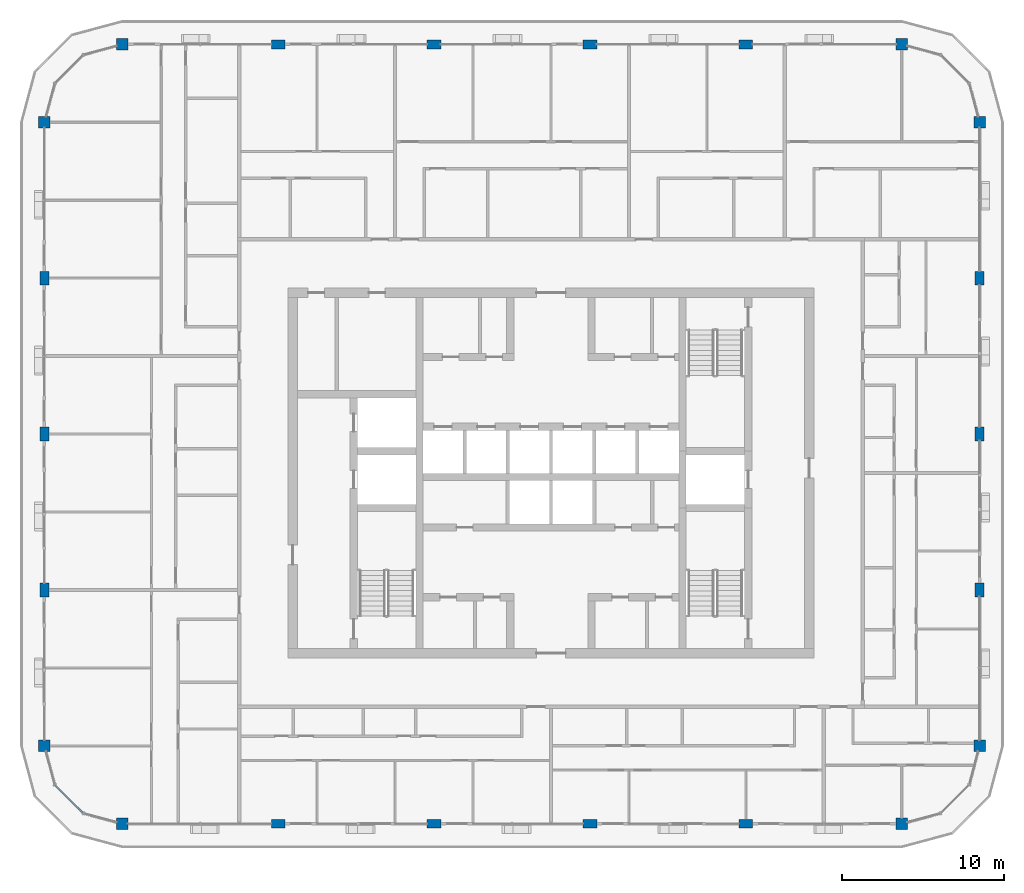
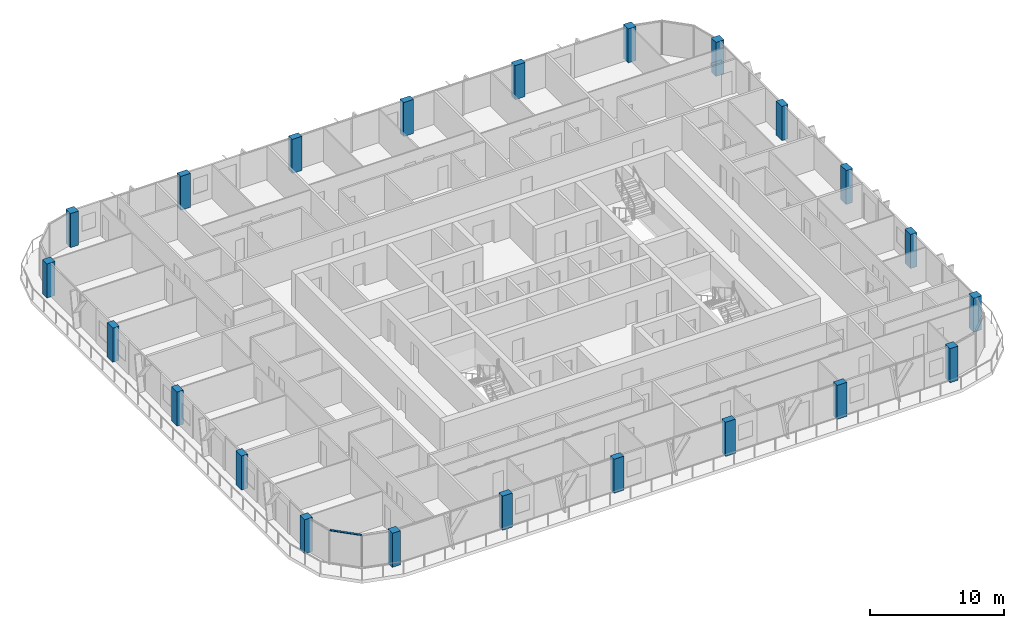
# One storey, part 1 of 22: 22 columns, 1 member, 1 element without a shape of its own.
"""IFC4 building model written with IfcOpenShell, lengths in metres."""

from ifc_helpers import new_model, si_unit, direction, frame, origin, origin_2d, place, context, subcontext, project, spatial, rectangle, extrude, material, layer, layer_set, material_profile, profile_set, type_object, element, aggregate, save


model = new_model("IFC4")

# Units and contexts
model_context = context("Model", 3, precision=1e-05, world=origin(), true_north=direction((0.0, 1.0)))
body_context = subcontext(model_context, "Body", "Model", "MODEL_VIEW")
ifc_project = project(units=[si_unit("LENGTHUNIT", "METRE"), si_unit("AREAUNIT", "SQUARE_METRE"), si_unit("VOLUMEUNIT", "CUBIC_METRE"), si_unit("PLANEANGLEUNIT", "RADIAN"), si_unit("MASSUNIT", "GRAM", prefix="KILO")], contexts=[model_context])

# Site, building, storey
site_placement = place(None, origin())
site = spatial("IfcSite", under=ifc_project, at=site_placement, CompositionType="ELEMENT")
building_placement = place(site_placement, origin())
building = spatial("IfcBuilding", under=site, at=building_placement, Name="Madar Terraces", CompositionType="ELEMENT")
storey_placement = place(building_placement, frame((0.0, 0.0, 259.699951171875)))
storey = spatial("IfcBuildingStorey", under=building, at=storey_placement, Name="L68", CompositionType="ELEMENT", Elevation=259.699951171875)

# Columns
ifc_material_1 = material(Name="Concrete C55/67", Category="concrete")
ifc_material_profile_1 = material_profile(ifc_material_1, rectangle(XDim=0.85009765625, YDim=0.550048828125, at=origin_2d()), Name="CC5 RC 850x550")
ifc_profile_set_1 = profile_set([ifc_material_profile_1], Name="Concrete C55/67")
column_type_1 = type_object("IfcColumnType", Name="CC5 RC 850x550", PredefinedType="COLUMN", material=ifc_profile_set_1)
for number, where, z_axis, x_axis, name in (
    (1, (14.39990234375, 4.800048828125, 0.0), (0.0, 0.0, 1.0), (1.0, 0.0, 0.0), "Perimeter column S2"),
    (2, (24.0, 4.800048828125, 0.0), (0.0, 0.0, 1.0), (1.0, 0.0, 0.0), "Perimeter column S3"),
    (3, (33.60009765625, 4.800048828125, 0.0), (0.0, 0.0, 1.0), (1.0, 0.0, 0.0), "Perimeter column S4"),
    (4, (43.199951171875, 4.800048828125, 0.0), (0.0, 0.0, 1.0), (1.0, 0.0, 0.0), "Perimeter column S5"),
    (5, (57.60009765625, 19.199951171875, 0.0), (0.0, 0.0, 1.0), (0.0, 1.0, 0.0), "Perimeter column E2"),
    (6, (57.60009765625, 28.800048828125, 0.0), (0.0, 0.0, 1.0), (0.0, 1.0, 0.0), "Perimeter column E3"),
    (7, (57.60009765625, 38.39990234375, 0.0), (0.0, 0.0, 1.0), (0.0, 1.0, 0.0), "Perimeter column E4"),
    (8, (43.199951171875, 52.800048828125, 0.0), (0.0, 0.0, 1.0), (1.0, 0.0, 0.0), "Perimeter column N2"),
    (9, (33.60009765625, 52.800048828125, 0.0), (0.0, 0.0, 1.0), (1.0, 0.0, 0.0), "Perimeter column N3"),
    (10, (24.0, 52.800048828125, 0.0), (0.0, 0.0, 1.0), (1.0, 0.0, 0.0), "Perimeter column N4"),
    (11, (14.39990234375, 52.800048828125, 0.0), (0.0, 0.0, 1.0), (1.0, 0.0, 0.0), "Perimeter column N5"),
    (12, (0.0, 38.39990234375, 0.0), (0.0, 0.0, 1.0), (0.0, 1.0, 0.0), "Perimeter column W2"),
    (13, (0.0, 28.800048828125, 0.0), (0.0, 0.0, 1.0), (0.0, 1.0, 0.0), "Perimeter column W3"),
    (14, (0.0, 19.199951171875, 0.0), (0.0, 0.0, 1.0), (0.0, 1.0, 0.0), "Perimeter column W4"),
):
    element("IfcColumn", number, at=place(storey_placement, frame(where, z_axis=z_axis, x_axis=x_axis)), inside=storey, type_object=column_type_1, Name=name, PredefinedType="COLUMN", context=body_context, shape_type="SweptSolid", body=[
        extrude(rectangle(XDim=0.85009765625, YDim=0.550048828125, at=origin_2d()), origin(), (0.0, 0.0, 1.0), 3.10009765625),
    ])
ifc_material_2 = material(Name="Concrete C55/67", Category="concrete")
ifc_material_profile_2 = material_profile(ifc_material_2, rectangle(XDim=0.699951171875, YDim=0.699951171875, at=origin_2d()), Name="KC5 RC 700x700")
ifc_profile_set_2 = profile_set([ifc_material_profile_2], Name="Concrete C55/67")
column_type_2 = type_object("IfcColumnType", Name="KC5 RC 700x700", PredefinedType="COLUMN", material=ifc_profile_set_2)
for number, where, z_axis, x_axis, name in (
    (15, (4.800048828125, 4.800048828125, 0.0), (0.0, 0.0, 1.0), (1.0, 0.0, 0.0), "Perimeter column S1"),
    (16, (52.800048828125, 4.800048828125, 0.0), (0.0, 0.0, 1.0), (1.0, 0.0, 0.0), "Perimeter column S6"),
    (17, (57.60009765625, 9.60009765625, 0.0), (0.0, 0.0, 1.0), (1.0, 0.0, 0.0), "Perimeter column E1"),
    (18, (57.60009765625, 48.0, 0.0), (0.0, 0.0, 1.0), (1.0, 0.0, 0.0), "Perimeter column E5"),
    (19, (52.800048828125, 52.800048828125, 0.0), (0.0, 0.0, 1.0), (1.0, 0.0, 0.0), "Perimeter column N1"),
    (20, (4.800048828125, 52.800048828125, 0.0), (0.0, 0.0, 1.0), (1.0, 0.0, 0.0), "Perimeter column N6"),
    (21, (0.0, 48.0, 0.0), (0.0, 0.0, 1.0), (1.0, 0.0, 0.0), "Perimeter column W1"),
    (22, (0.0, 9.60009765625, 0.0), (0.0, 0.0, 1.0), (1.0, 0.0, 0.0), "Perimeter column W5"),
):
    element("IfcColumn", number, at=place(storey_placement, frame(where, z_axis=z_axis, x_axis=x_axis)), inside=storey, type_object=column_type_2, Name=name, PredefinedType="COLUMN", context=body_context, shape_type="SweptSolid", body=[
        extrude(rectangle(XDim=0.699951171875, YDim=0.699951171875, at=origin_2d()), origin(), (0.0, 0.0, 1.0), 3.10009765625),
    ])

# Curtain wall, member
ifc_material_3 = material(Name="Glass, ceramic frit dark grey, with black aluminium frame", Category="aluminium")
ifc_layer = layer(ifc_material_3, 0.199951171875)
ifc_layer_set = layer_set([ifc_layer], Name="Facade curtain wall, fritted glass")
curtain_wall_type = type_object("IfcCurtainWallType", Name="Facade curtain wall, fritted glass", PredefinedType="NOTDEFINED", material=ifc_layer_set)
curtain_wall_placement = place(storey_placement, origin())
curtain_wall = element("IfcCurtainWall", 23, at=curtain_wall_placement, inside=storey, type_object=curtain_wall_type, Name="Outer skin curtain wall south-west corner", PredefinedType="NOTDEFINED")
ifc_material_4 = material(Name="Aluminium, black anodised", Category="aluminium")
ifc_material_profile_3 = material_profile(ifc_material_4, rectangle(XDim=0.1201171875, YDim=0.06005859375, at=origin_2d()), Name="Facade transom 60x120")
ifc_profile_set_3 = profile_set([ifc_material_profile_3], Name="Aluminium, black anodised")
member_type = type_object("IfcMemberType", Name="Facade transom 60x120", PredefinedType="USERDEFINED", material=ifc_profile_set_3)
member_placement = place(storey_placement, frame((0.664306640625, 7.1787109375, 3.070068359375), z_axis=(0.707157125196, -0.707056433593, 0.0), x_axis=(0.707056433593, 0.707157125196, 0.0)))
member = element("IfcMember", 24, at=member_placement, type_object=member_type, Name="Transom 2", ObjectType="TRANSOM", PredefinedType="USERDEFINED", context=body_context, shape_type="SweptSolid", body=[
    extrude(rectangle(XDim=0.1201171875, YDim=0.06005859375, at=origin_2d()), origin(), (0.0, 0.0, 1.0), 2.424560546875),
])
aggregate(curtain_wall, [member])

save(model, "model.ifc")
